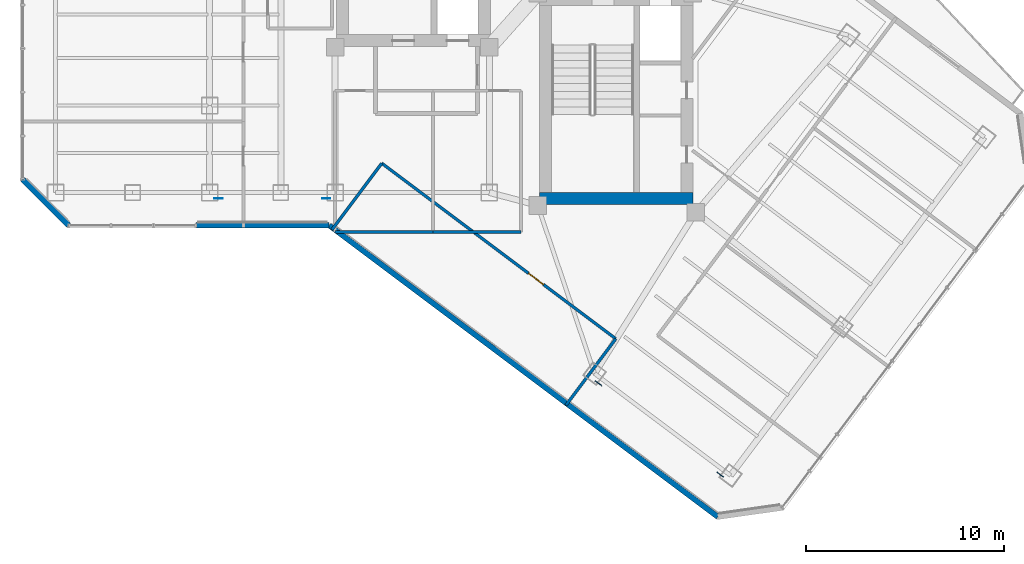
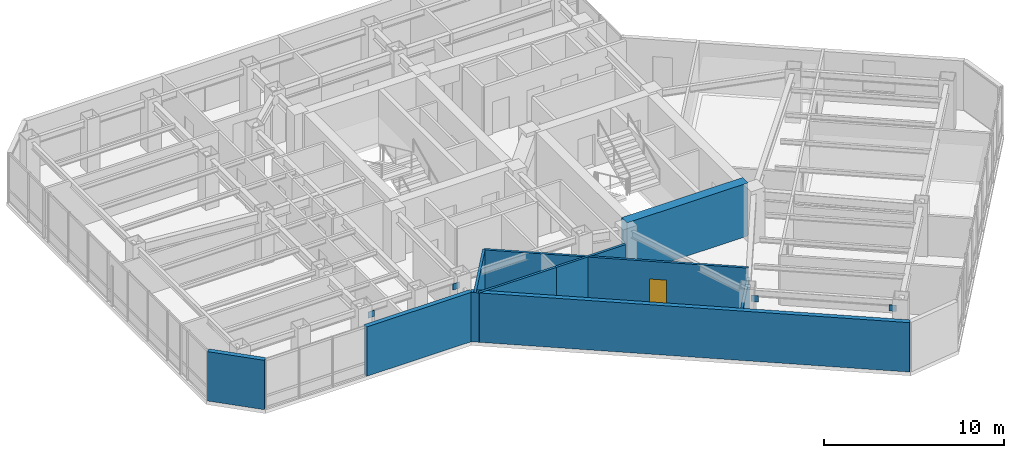
# One storey, part 21 of 27: 9 walls, 4 plates, 1 door, 1 opening.
"""IFC4 building model written with IfcOpenShell, lengths in metres."""

from ifc_helpers import new_model, si_unit, direction, frame, frame_2d, origin, origin_2d, place, context, subcontext, project, spatial, rectangle, extrude, material, layer, layer_set, type_object, element, fill, save


model = new_model("IFC4")

# Units and contexts
model_context = context("Model", 3, precision=1e-05, world=origin(), true_north=direction((0.0, 1.0)))
body_context = subcontext(model_context, "Body", "Model", "MODEL_VIEW")
ifc_project = project(units=[si_unit("LENGTHUNIT", "METRE"), si_unit("AREAUNIT", "SQUARE_METRE"), si_unit("VOLUMEUNIT", "CUBIC_METRE"), si_unit("PLANEANGLEUNIT", "RADIAN"), si_unit("MASSUNIT", "GRAM", prefix="KILO")], contexts=[model_context])

# Site, building, storey
site_placement = place(None, origin())
site = spatial("IfcSite", under=ifc_project, at=site_placement, CompositionType="ELEMENT")
building_placement = place(site_placement, origin())
building = spatial("IfcBuilding", under=site, at=building_placement, Name="Hatsunagi Terrace Concourse", CompositionType="ELEMENT")
storey_placement = place(building_placement, frame((0.0, 0.0, 142.050048828125)))
storey = spatial("IfcBuildingStorey", under=building, at=storey_placement, Name="L37", CompositionType="ELEMENT", Elevation=142.050048828125)

# Plates
ifc_material_1 = material(Name="Steel SN490C", Category="steel")
ifc_layer_1 = layer(ifc_material_1, 0.031982421875)
ifc_layer_set_1 = layer_set([ifc_layer_1], Name="XBraceNodeCapPlate_32")
plate_type = type_object("IfcPlateType", Name="XBraceNodeCapPlate_32", PredefinedType="USERDEFINED", material=ifc_layer_set_1)
for number, where, z_axis, x_axis, name in (
    (1, (19.64990234375, 24.89990234375, 2.699951171875), (0.0, 0.0, 1.0), (1.0, 0.0, 0.0), "Cast-In Core and Node Embed Plate GP-02 EP-XB-L35-W1-AT"),
    (2, (25.10009765625, 24.89990234375, 2.699951171875), (0.0, 0.0, 1.0), (1.0, 0.0, 0.0), "Cast-In Core and Node Embed Plate GP-02 EP-XB-L35-W1-BT"),
    (3, (38.8720703125, 15.5458984375, 2.699951171875), (0.0, 0.0, 1.0), (0.799999996291, -0.600000004945, 0.0), "Cast-In Core and Node Embed Plate GP-02 EP-XB-L35-SE-AT"),
    (4, (45.031982421875, 10.926025390625, 2.699951171875), (0.0, 0.0, 1.0), (0.799999996291, -0.600000004945, 0.0), "Cast-In Core and Node Embed Plate GP-02 EP-XB-L35-SE-BT"),
):
    element("IfcPlate", number, at=place(storey_placement, frame(where, z_axis=z_axis, x_axis=x_axis)), inside=storey, type_object=plate_type, Name=name, ObjectType="GUSSET_PLATE", PredefinedType="USERDEFINED", context=body_context, shape_type="SweptSolid", body=[
        extrude(rectangle(XDim=0.419921875, YDim=0.031982421875, at=origin_2d()), origin(), (0.0, 0.0, 1.0), 0.419921875),
    ])

# Walls
ifc_material_2 = material(Name="Concrete Fc48", Category="concrete")
ifc_layer_2 = layer(ifc_material_2, 0.60009765625)
ifc_layer_set_2 = layer_set([ifc_layer_2], Name="CoreShearWall_Fc48_600")
wall_type_1 = type_object("IfcWallType", Name="CoreShearWall_Fc48_600", PredefinedType="SHEAR", material=ifc_layer_set_2)
wall_1_placement = place(storey_placement, frame((35.889892578125, 24.889892578125, 0.0), z_axis=(0.0, 0.0, 1.0), x_axis=(1.0, 0.0, 0.0)))
element("IfcWall", 5, at=wall_1_placement, inside=storey, type_object=wall_type_1, Name="Core B Shear Wall S L37", PredefinedType="SHEAR", context=body_context, shape_type="SweptSolid", body=[
    extrude(rectangle(XDim=7.760009765625, YDim=0.60009765625, at=frame_2d((3.8798828125, 0.0))), origin(), (0.0, 0.0, 1.0), 3.599853515625),
])
ifc_material_3 = material(Name="Acoustic mineral board", Category="gypsum")
ifc_layer_3 = layer(ifc_material_3, 0.14990234375)
ifc_layer_set_3 = layer_set([ifc_layer_3], Name="PartitionWall_EI60_150")
wall_type_2 = type_object("IfcWallType", Name="PartitionWall_EI60_150", PredefinedType="PARTITIONING", material=ifc_layer_set_3)
wall_2_placement = place(storey_placement, frame((25.550048828125, 23.199951171875, 0.0), z_axis=(0.0, 0.0, 1.0), x_axis=(1.0, 0.0, 0.0)))
element("IfcWall", 6, at=wall_2_placement, inside=storey, type_object=wall_type_2, Name="Interior Partition IW-L37-026", PredefinedType="PARTITIONING", context=body_context, shape_type="SweptSolid", body=[
    extrude(rectangle(XDim=4.949951171875, YDim=0.14990234375, at=frame_2d((2.47509765625, 0.0))), origin(), (0.0, 0.0, 1.0), 3.349853515625),
])
wall_3_placement = place(storey_placement, frame((30.5, 23.199951171875, 0.0), z_axis=(0.0, 0.0, 1.0), x_axis=(1.0, 0.0, 0.0)))
element("IfcWall", 7, at=wall_3_placement, inside=storey, type_object=wall_type_2, Name="Interior Partition IW-L37-030", PredefinedType="PARTITIONING", context=body_context, shape_type="SweptSolid", body=[
    extrude(rectangle(XDim=4.449951171875, YDim=0.14990234375, at=frame_2d((2.22509765625, 0.0))), origin(), (0.0, 0.0, 1.0), 3.349853515625),
])

# Wall, opening, door
wall_4_placement = place(storey_placement, frame((27.909912109375, 26.679931640625, 0.0), z_axis=(0.0, 0.0, 1.0), x_axis=(0.800005938517, -0.599992081896, 0.0)))
wall_4 = element("IfcWall", 8, at=wall_4_placement, inside=storey, type_object=wall_type_2, Name="Interior Partition IW-L37-054", PredefinedType="PARTITIONING", context=body_context, shape_type="SweptSolid", body=[
    extrude(rectangle(XDim=14.800048828125, YDim=0.14990234375, at=frame_2d((7.39990234375, 0.0))), origin(), (0.0, 0.0, 1.0), 3.349853515625),
])
opening_placement = place(wall_4_placement, frame((9.281005859375, 0.0, 0.0)))
opening = element("IfcOpeningElement", 9, at=opening_placement, cuts=wall_4, Name="Opening DR-095", PredefinedType="OPENING", context=body_context, shape_type="SweptSolid", body=[
    extrude(rectangle(XDim=0.949951171875, YDim=2.14990234375, at=frame_2d((0.47509765625, 1.074951171875))), frame((0.0, 0.0849609375, 0.0), z_axis=(0.0, -1.0, 0.0), x_axis=(1.0, 0.0, 0.0)), (0.0, 0.0, 1.0), 0.169921875),
])
ifc_material_4 = material(Name="Hardwood timber", Category="wood")
door_type = type_object("IfcDoorType", Name="InteriorSuiteDoor_EI30_950", OperationType="NOTDEFINED", PredefinedType="DOOR", material=ifc_material_4)
door_placement = place(opening_placement, origin())
door = element("IfcDoor", 10, at=door_placement, inside=storey, type_object=door_type, Name="Research Focus Suite L37-OSWS Door", OperationType="SINGLE_SWING_RIGHT", OverallHeight=2.14990234375, OverallWidth=0.949951171875, PredefinedType="DOOR", context=body_context, shape_type="SweptSolid", body=[
    extrude(rectangle(XDim=0.949951171875, YDim=2.14990234375, at=frame_2d((0.47509765625, 1.074951171875))), frame((0.0, 0.02490234375, 0.0), z_axis=(0.0, -1.0, 0.0), x_axis=(1.0, 0.0, 0.0)), (0.0, 0.0, 1.0), 0.050048828125),
])
fill(opening, door)

# Walls
wall_5_placement = place(storey_placement, frame((25.384033203125, 23.31201171875, 0.0), z_axis=(0.0, 0.0, 1.0), x_axis=(0.599990721155, 0.80000695905, 0.0)))
element("IfcWall", 11, at=wall_5_placement, inside=storey, type_object=wall_type_2, Name="Interior Partition IW-L37-055", PredefinedType="PARTITIONING", context=body_context, shape_type="SweptSolid", body=[
    extrude(rectangle(XDim=4.2099609375, YDim=0.14990234375, at=frame_2d((2.10498046875, 0.0))), origin(), (0.0, 0.0, 1.0), 3.349853515625),
])
wall_6_placement = place(storey_placement, frame((37.22412109375, 14.431884765625, 0.0), z_axis=(0.0, 0.0, 1.0), x_axis=(0.599962885857, 0.800027834262, 0.0)))
element("IfcWall", 12, at=wall_6_placement, inside=storey, type_object=wall_type_2, Name="Interior Partition IW-L37-056", PredefinedType="PARTITIONING", context=body_context, shape_type="SweptSolid", body=[
    extrude(rectangle(XDim=4.2099609375, YDim=0.14990234375, at=frame_2d((2.10498046875, 0.0))), origin(), (0.0, 0.0, 1.0), 2.695068359375),
])
ifc_material_5 = material(Name="Autoclaved Lightweight Concrete and Terracotta Cladding", Category="masonry")
ifc_layer_4 = layer(ifc_material_5, 0.280029296875)
ifc_layer_set_4 = layer_set([ifc_layer_4], Name="TerracottaSpandrelWall_280")
wall_type_3 = type_object("IfcWallType", Name="TerracottaSpandrelWall_280", PredefinedType="STANDARD", material=ifc_layer_set_4)
wall_7_placement = place(storey_placement, frame((44.91796875, 8.787109375, 0.0), z_axis=(0.0, 0.0, 1.0), x_axis=(-0.800004765927, 0.599993645378, 0.0)))
element("IfcWall", 13, at=wall_7_placement, inside=storey, type_object=wall_type_3, Name="Exterior Spandrel Wall EW-L37-05", PredefinedType="STANDARD", context=body_context, shape_type="SweptSolid", body=[
    extrude(rectangle(XDim=24.58837890625, YDim=0.280029296875, at=frame_2d((12.294189453125, 0.0))), origin(), (0.0, 0.0, 1.0), 3.349853515625),
])
wall_8_placement = place(storey_placement, frame((25.2470703125, 23.5400390625, 0.0), z_axis=(0.0, 0.0, 1.0), x_axis=(-1.0, 0.0, 0.0)))
element("IfcWall", 14, at=wall_8_placement, inside=storey, type_object=wall_type_3, Name="Exterior Spandrel Wall EW-L37-06", PredefinedType="STANDARD", context=body_context, shape_type="SweptSolid", body=[
    extrude(rectangle(XDim=6.7470703125, YDim=0.280029296875, at=frame_2d((3.37353515625, 0.0))), origin(), (0.0, 0.0, 1.0), 3.349853515625),
])
wall_9_placement = place(storey_placement, frame((12.05810546875, 23.5400390625, 0.0), z_axis=(0.0, 0.0, 1.0), x_axis=(-0.707144017911, 0.707069542501, 0.0)))
element("IfcWall", 15, at=wall_9_placement, inside=storey, type_object=wall_type_3, Name="Exterior Spandrel Wall EW-L37-08", PredefinedType="STANDARD", context=body_context, shape_type="SweptSolid", body=[
    extrude(rectangle(XDim=3.278076171875, YDim=0.280029296875, at=frame_2d((1.63916015625, 0.0))), origin(), (0.0, 0.0, 1.0), 3.349853515625),
])

save(model, "model.ifc")
